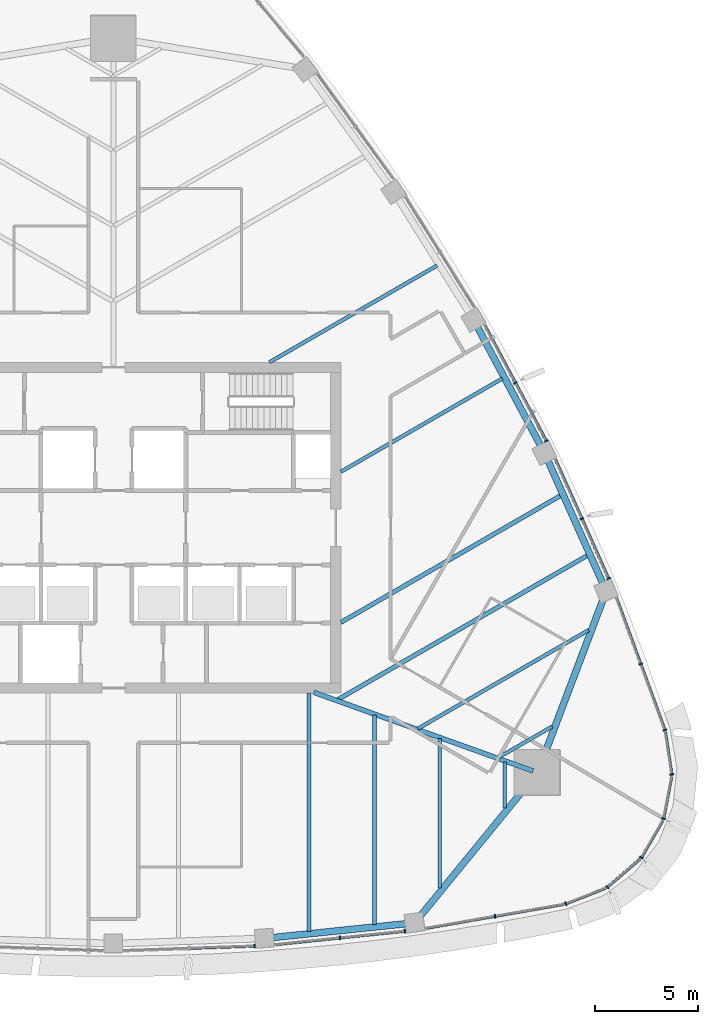
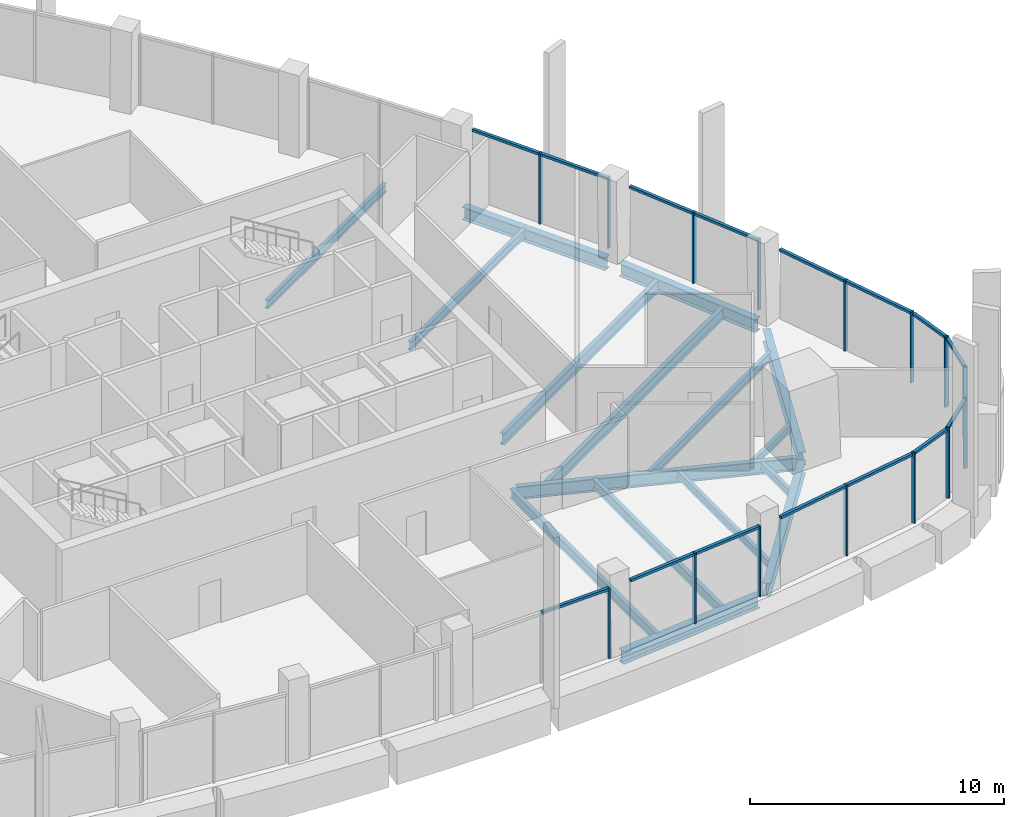
# One storey, part 4 of 19: 31 members, 16 beams, 11 elements without a shape of their own.
"""IFC4 building model written with IfcOpenShell, lengths in metres."""

from ifc_helpers import new_model, si_unit, direction, frame, origin, origin_2d, place, context, subcontext, project, spatial, rectangle, i_section, extrude, material, layer, layer_set, material_profile, profile_set, type_object, element, aggregate, save


model = new_model("IFC4")

# Units and contexts
model_context = context("Model", 3, precision=1e-05, world=origin(), true_north=direction((0.0, 1.0)))
body_context = subcontext(model_context, "Body", "Model", "MODEL_VIEW")
ifc_project = project(units=[si_unit("LENGTHUNIT", "METRE"), si_unit("AREAUNIT", "SQUARE_METRE"), si_unit("VOLUMEUNIT", "CUBIC_METRE"), si_unit("PLANEANGLEUNIT", "RADIAN"), si_unit("MASSUNIT", "GRAM", prefix="KILO")], contexts=[model_context])

# Site, building, storey
site_placement = place(None, origin())
site = spatial("IfcSite", under=ifc_project, at=site_placement, CompositionType="ELEMENT")
building_placement = place(site_placement, origin())
building = spatial("IfcBuilding", under=site, at=building_placement, Name="Sierra Prisma Convention Tower", CompositionType="ELEMENT")
storey_placement = place(building_placement, frame((0.0, 0.0, 295.0)))
storey = spatial("IfcBuildingStorey", under=building, at=storey_placement, Name="L67", CompositionType="ELEMENT", Elevation=295.0)

# Curtain wall, member
ifc_material_1 = material(Name="Aluminium and glass curtain wall", Category="aluminium")
ifc_layer = layer(ifc_material_1, 0.179931640625)
ifc_layer_set = layer_set([ifc_layer], Name="CW-1 Plain shaft curtain wall")
curtain_wall_type = type_object("IfcCurtainWallType", Name="CW-1 Plain shaft curtain wall", PredefinedType="NOTDEFINED", material=ifc_layer_set)
curtain_wall_1_placement = place(storey_placement, origin())
curtain_wall_1 = element("IfcCurtainWall", 1, at=curtain_wall_1_placement, inside=storey, type_object=curtain_wall_type, Name="CW-1 S4 L67", PredefinedType="NOTDEFINED")
ifc_material_2 = material(Name="Aluminium 6063-T6 bronze anodised", Category="aluminium")
ifc_material_profile_1 = material_profile(ifc_material_2, rectangle(XDim=0.179931640625, YDim=0.070068359375, at=origin_2d()), Name="ALU MULLION 70x180")
ifc_profile_set_1 = profile_set([ifc_material_profile_1], Name="Aluminium 6063-T6 bronze anodised")
member_type_1 = type_object("IfcMemberType", Name="CW mullion bronze", PredefinedType="MULLION", material=ifc_profile_set_1)
member_1_placement = place(storey_placement, frame((6.83056640625, -20.22607421875, 0.0), z_axis=(0.0, 0.0, 1.0), x_axis=(-0.034428292311, 0.999407170621, 0.0)))
member_1 = element("IfcMember", 2, at=member_1_placement, type_object=member_type_1, Name="CW-1 mullion S4.3", PredefinedType="MULLION", context=body_context, shape_type="SweptSolid", body=[
    extrude(rectangle(XDim=0.179931640625, YDim=0.070068359375, at=origin_2d()), origin(), (0.0, 0.0, 1.0), 3.39990234375),
])

# Curtain wall, members
curtain_wall_2_placement = place(storey_placement, origin())
curtain_wall_2 = element("IfcCurtainWall", 3, at=curtain_wall_2_placement, inside=storey, type_object=curtain_wall_type, Name="CW-1 S5 L67", PredefinedType="NOTDEFINED")
member_2_placement = place(storey_placement, frame((10.951904296875, -19.833251953125, 0.0), z_axis=(0.0, 0.0, 1.0), x_axis=(-0.10312164449, 0.994668752117, 0.0)))
member_2 = element("IfcMember", 4, at=member_2_placement, type_object=member_type_1, Name="CW-1 mullion S5.2", PredefinedType="MULLION", context=body_context, shape_type="SweptSolid", body=[
    extrude(rectangle(XDim=0.179931640625, YDim=0.070068359375, at=origin_2d()), origin(), (0.0, 0.0, 1.0), 3.39990234375),
])
member_3_placement = place(storey_placement, frame((14.093994140625, -19.507568359375, 0.0), z_axis=(0.0, 0.0, 1.0), x_axis=(-0.10312164449, 0.994668752117, 0.0)))
member_3 = element("IfcMember", 5, at=member_3_placement, type_object=member_type_1, Name="CW-1 mullion S5.3", PredefinedType="MULLION", context=body_context, shape_type="SweptSolid", body=[
    extrude(rectangle(XDim=0.179931640625, YDim=0.070068359375, at=origin_2d()), origin(), (0.0, 0.0, 1.0), 3.39990234375),
])

# Curtain wall, member
curtain_wall_3_placement = place(storey_placement, origin())
curtain_wall_3 = element("IfcCurtainWall", 6, at=curtain_wall_3_placement, inside=storey, type_object=curtain_wall_type, Name="CW-1 S6 L67", PredefinedType="NOTDEFINED")
member_4_placement = place(storey_placement, frame((18.453125, -18.786376953125, 0.0), z_axis=(0.0, 0.0, 1.0), x_axis=(-0.17132607333, 0.985214381035, 0.0)))
member_4 = element("IfcMember", 7, at=member_4_placement, type_object=member_type_1, Name="CW-1 mullion S6.2", PredefinedType="MULLION", context=body_context, shape_type="SweptSolid", body=[
    extrude(rectangle(XDim=0.179931640625, YDim=0.070068359375, at=origin_2d()), origin(), (0.0, 0.0, 1.0), 3.39990234375),
])

curtain_wall_4_placement = place(storey_placement, origin())
curtain_wall_4 = element("IfcCurtainWall", 8, at=curtain_wall_4_placement, inside=storey, type_object=curtain_wall_type, Name="CW-1 SE1 L67", PredefinedType="NOTDEFINED")
member_5_placement = place(storey_placement, frame((21.875732421875, -18.18408203125, 0.0), z_axis=(0.0, 0.0, 1.0), x_axis=(-0.366019396265, 0.930607221957, 0.0)))
member_5 = element("IfcMember", 9, at=member_5_placement, type_object=member_type_1, Name="CW-1 mullion SE1.1", PredefinedType="MULLION", context=body_context, shape_type="SweptSolid", body=[
    extrude(rectangle(XDim=0.179931640625, YDim=0.070068359375, at=origin_2d()), origin(), (0.0, 0.0, 1.0), 3.39990234375),
])

curtain_wall_5_placement = place(storey_placement, origin())
curtain_wall_5 = element("IfcCurtainWall", 10, at=curtain_wall_5_placement, inside=storey, type_object=curtain_wall_type, Name="CW-1 SE2 L67", PredefinedType="NOTDEFINED")
member_6_placement = place(storey_placement, frame((23.8916015625, -17.378662109375, 0.0), z_axis=(0.0, 0.0, 1.0), x_axis=(-0.652563592481, 0.757733962396, 0.0)))
member_6 = element("IfcMember", 11, at=member_6_placement, type_object=member_type_1, Name="CW-1 mullion SE2.1", PredefinedType="MULLION", context=body_context, shape_type="SweptSolid", body=[
    extrude(rectangle(XDim=0.179931640625, YDim=0.070068359375, at=origin_2d()), origin(), (0.0, 0.0, 1.0), 3.39990234375),
])

curtain_wall_6_placement = place(storey_placement, origin())
curtain_wall_6 = element("IfcCurtainWall", 12, at=curtain_wall_6_placement, inside=storey, type_object=curtain_wall_type, Name="CW-1 SE3 L67", PredefinedType="NOTDEFINED")
member_7_placement = place(storey_placement, frame((25.529052734375, -15.953369140625, 0.0), z_axis=(0.0, 0.0, 1.0), x_axis=(-0.866025403784, 0.5, 0.0)))
member_7 = element("IfcMember", 13, at=member_7_placement, type_object=member_type_1, Name="CW-1 mullion SE3.1", PredefinedType="MULLION", context=body_context, shape_type="SweptSolid", body=[
    extrude(rectangle(XDim=0.179931640625, YDim=0.070068359375, at=origin_2d()), origin(), (0.0, 0.0, 1.0), 3.39990234375),
])

curtain_wall_7_placement = place(storey_placement, origin())
curtain_wall_7 = element("IfcCurtainWall", 14, at=curtain_wall_7_placement, inside=storey, type_object=curtain_wall_type, Name="CW-1 SE4 L67", PredefinedType="NOTDEFINED")
member_8_placement = place(storey_placement, frame((26.6044921875, -14.0673828125, 0.0), z_axis=(0.0, 0.0, 1.0), x_axis=(-0.982498656986, 0.186269667476, 0.0)))
member_8 = element("IfcMember", 15, at=member_8_placement, type_object=member_type_1, Name="CW-1 mullion SE4.1", PredefinedType="MULLION", context=body_context, shape_type="SweptSolid", body=[
    extrude(rectangle(XDim=0.179931640625, YDim=0.070068359375, at=origin_2d()), origin(), (0.0, 0.0, 1.0), 3.39990234375),
])

curtain_wall_8_placement = place(storey_placement, origin())
curtain_wall_8 = element("IfcCurtainWall", 16, at=curtain_wall_8_placement, inside=storey, type_object=curtain_wall_type, Name="CW-1 SE5 L67", PredefinedType="NOTDEFINED")
member_9_placement = place(storey_placement, frame((26.99755859375, -11.932373046875, 0.0), z_axis=(0.0, 0.0, 1.0), x_axis=(-0.988939193292, -0.148321515535, 0.0)))
member_9 = element("IfcMember", 17, at=member_9_placement, type_object=member_type_1, Name="CW-1 mullion SE5.1", PredefinedType="MULLION", context=body_context, shape_type="SweptSolid", body=[
    extrude(rectangle(XDim=0.179931640625, YDim=0.070068359375, at=origin_2d()), origin(), (0.0, 0.0, 1.0), 3.39990234375),
])

# Curtain wall, members
curtain_wall_9_placement = place(storey_placement, origin())
curtain_wall_9 = element("IfcCurtainWall", 18, at=curtain_wall_9_placement, inside=storey, type_object=curtain_wall_type, Name="CW-1 NE1 L67", PredefinedType="NOTDEFINED")
member_10_placement = place(storey_placement, frame((26.66845703125, -9.785400390625, 0.0), z_axis=(0.0, 0.0, 1.0), x_axis=(-0.938883718815, -0.344234458683, 0.0)))
member_10 = element("IfcMember", 19, at=member_10_placement, type_object=member_type_1, Name="CW-1 mullion NE1.1", PredefinedType="MULLION", context=body_context, shape_type="SweptSolid", body=[
    extrude(rectangle(XDim=0.179931640625, YDim=0.070068359375, at=origin_2d()), origin(), (0.0, 0.0, 1.0), 3.39990234375),
])
member_11_placement = place(storey_placement, frame((25.49609375, -6.587646484375, 0.0), z_axis=(0.0, 0.0, 1.0), x_axis=(-0.938883718815, -0.344234458683, 0.0)))
member_11 = element("IfcMember", 20, at=member_11_placement, type_object=member_type_1, Name="CW-1 mullion NE1.2", PredefinedType="MULLION", context=body_context, shape_type="SweptSolid", body=[
    extrude(rectangle(XDim=0.179931640625, YDim=0.070068359375, at=origin_2d()), origin(), (0.0, 0.0, 1.0), 3.39990234375),
])

curtain_wall_10_placement = place(storey_placement, origin())
curtain_wall_10 = element("IfcCurtainWall", 21, at=curtain_wall_10_placement, inside=storey, type_object=curtain_wall_type, Name="CW-1 NE2 L67", PredefinedType="NOTDEFINED")
member_12_placement = place(storey_placement, frame((23.94091796875, -2.4521484375, 0.0), z_axis=(0.0, 0.0, 1.0), x_axis=(-0.912969229929, -0.40802841225, 0.0)))
member_12 = element("IfcMember", 22, at=member_12_placement, type_object=member_type_1, Name="CW-1 mullion NE2.1", PredefinedType="MULLION", context=body_context, shape_type="SweptSolid", body=[
    extrude(rectangle(XDim=0.179931640625, YDim=0.070068359375, at=origin_2d()), origin(), (0.0, 0.0, 1.0), 3.39990234375),
])
member_13_placement = place(storey_placement, frame((22.652099609375, 0.431884765625, 0.0), z_axis=(0.0, 0.0, 1.0), x_axis=(-0.912969229929, -0.40802841225, 0.0)))
member_13 = element("IfcMember", 23, at=member_13_placement, type_object=member_type_1, Name="CW-1 mullion NE2.2", PredefinedType="MULLION", context=body_context, shape_type="SweptSolid", body=[
    extrude(rectangle(XDim=0.179931640625, YDim=0.070068359375, at=origin_2d()), origin(), (0.0, 0.0, 1.0), 3.39990234375),
])

curtain_wall_11_placement = place(storey_placement, origin())
curtain_wall_11 = element("IfcCurtainWall", 24, at=curtain_wall_11_placement, inside=storey, type_object=curtain_wall_type, Name="CW-1 NE3 L67", PredefinedType="NOTDEFINED")
member_14_placement = place(storey_placement, frame((20.931640625, 4.197509765625, 0.0), z_axis=(0.0, 0.0, 1.0), x_axis=(-0.882726144638, -0.46988780956, 0.0)))
member_14 = element("IfcMember", 25, at=member_14_placement, type_object=member_type_1, Name="CW-1 mullion NE3.1", PredefinedType="MULLION", context=body_context, shape_type="SweptSolid", body=[
    extrude(rectangle(XDim=0.179931640625, YDim=0.070068359375, at=origin_2d()), origin(), (0.0, 0.0, 1.0), 3.39990234375),
])
member_15_placement = place(storey_placement, frame((19.43994140625, 7.0, 0.0), z_axis=(0.0, 0.0, 1.0), x_axis=(-0.882726144638, -0.46988780956, 0.0)))
member_15 = element("IfcMember", 26, at=member_15_placement, type_object=member_type_1, Name="CW-1 mullion NE3.2", PredefinedType="MULLION", context=body_context, shape_type="SweptSolid", body=[
    extrude(rectangle(XDim=0.179931640625, YDim=0.070068359375, at=origin_2d()), origin(), (0.0, 0.0, 1.0), 3.39990234375),
])

# Member
ifc_material_3 = material(Name="Aluminium 6063-T6 bronze anodised", Category="aluminium")
ifc_material_profile_2 = material_profile(ifc_material_3, rectangle(XDim=0.139892578125, YDim=0.1201171875, at=origin_2d()), Name="ALU TRANSOM 120x140")
ifc_profile_set_2 = profile_set([ifc_material_profile_2], Name="Aluminium 6063-T6 bronze anodised")
member_type_2 = type_object("IfcMemberType", Name="CW transom bronze", PredefinedType="USERDEFINED", material=ifc_profile_set_2)
member_16_placement = place(storey_placement, frame((3.692626953125, -20.334228515625, 3.340087890625), z_axis=(0.999406746212, 0.034440610137, 0.0), x_axis=(-0.034440610137, 0.999406746212, 0.0)))
member_16 = element("IfcMember", 27, at=member_16_placement, type_object=member_type_2, Name="CW-1 transom S4.2", ObjectType="TRANSOM", PredefinedType="USERDEFINED", context=body_context, shape_type="SweptSolid", body=[
    extrude(rectangle(XDim=0.139892578125, YDim=0.1201171875, at=origin_2d()), origin(), (0.0, 0.0, 1.0), 3.10498046875),
])

aggregate(curtain_wall_1, [member_1, member_16])

member_17_placement = place(storey_placement, frame((7.844482421875, -20.1552734375, 3.340087890625), z_axis=(0.994674764125, 0.103063638651, 0.0), x_axis=(-0.103063638651, 0.994674764125, 0.0)))
member_17 = element("IfcMember", 28, at=member_17_placement, type_object=member_type_2, Name="CW-1 transom S5.1", ObjectType="TRANSOM", PredefinedType="USERDEFINED", context=body_context, shape_type="SweptSolid", body=[
    extrude(rectangle(XDim=0.139892578125, YDim=0.1201171875, at=origin_2d()), origin(), (0.0, 0.0, 1.0), 3.0888671875),
])

member_18_placement = place(storey_placement, frame((10.986572265625, -19.82958984375, 3.340087890625), z_axis=(0.994666658703, 0.103141834693, 0.0), x_axis=(-0.103141834693, 0.994666658703, 0.0)))
member_18 = element("IfcMember", 29, at=member_18_placement, type_object=member_type_2, Name="CW-1 transom S5.2", ObjectType="TRANSOM", PredefinedType="USERDEFINED", context=body_context, shape_type="SweptSolid", body=[
    extrude(rectangle(XDim=0.139892578125, YDim=0.1201171875, at=origin_2d()), origin(), (0.0, 0.0, 1.0), 3.0888671875),
])

aggregate(curtain_wall_2, [member_2, member_3, member_17, member_18])

member_19_placement = place(storey_placement, frame((15.132080078125, -19.36376953125, 3.340087890625), z_axis=(0.985226791035, 0.171254694029, 0.0), x_axis=(-0.171254694029, 0.985226791035, 0.0)))
member_19 = element("IfcMember", 30, at=member_19_placement, type_object=member_type_2, Name="CW-1 transom S6.1", ObjectType="TRANSOM", PredefinedType="USERDEFINED", context=body_context, shape_type="SweptSolid", body=[
    extrude(rectangle(XDim=0.139892578125, YDim=0.1201171875, at=origin_2d()), origin(), (0.0, 0.0, 1.0), 3.3359375),
])

member_20_placement = place(storey_placement, frame((18.487548828125, -18.7802734375, 3.340087890625), z_axis=(0.985214440381, 0.171325732056, 0.0), x_axis=(-0.171325732056, 0.985214440381, 0.0)))
member_20 = element("IfcMember", 31, at=member_20_placement, type_object=member_type_2, Name="CW-1 transom S6.2", ObjectType="TRANSOM", PredefinedType="USERDEFINED", context=body_context, shape_type="SweptSolid", body=[
    extrude(rectangle(XDim=0.139892578125, YDim=0.1201171875, at=origin_2d()), origin(), (0.0, 0.0, 1.0), 3.3359375),
])

aggregate(curtain_wall_3, [member_4, member_19, member_20])

member_21_placement = place(storey_placement, frame((21.908203125, -18.171142578125, 3.340087890625), z_axis=(0.930639048396, 0.365938466959, 0.0), x_axis=(-0.365938466959, 0.930639048396, 0.0)))
member_21 = element("IfcMember", 32, at=member_21_placement, type_object=member_type_2, Name="CW-1 transom SE1.1", ObjectType="TRANSOM", PredefinedType="USERDEFINED", context=body_context, shape_type="SweptSolid", body=[
    extrude(rectangle(XDim=0.139892578125, YDim=0.1201171875, at=origin_2d()), origin(), (0.0, 0.0, 1.0), 2.032958984375),
])

aggregate(curtain_wall_4, [member_5, member_21])

member_22_placement = place(storey_placement, frame((23.918212890625, -17.35595703125, 3.340087890625), z_axis=(0.757694567991, 0.65260933309, 0.0), x_axis=(-0.65260933309, 0.757694567991, 0.0)))
member_22 = element("IfcMember", 33, at=member_22_placement, type_object=member_type_2, Name="CW-1 transom SE2.1", ObjectType="TRANSOM", PredefinedType="USERDEFINED", context=body_context, shape_type="SweptSolid", body=[
    extrude(rectangle(XDim=0.139892578125, YDim=0.1201171875, at=origin_2d()), origin(), (0.0, 0.0, 1.0), 2.032958984375),
])

aggregate(curtain_wall_5, [member_6, member_22])

member_23_placement = place(storey_placement, frame((25.546630859375, -15.923095703125, 3.340087890625), z_axis=(0.499975428181, 0.866039589866, 0.0), x_axis=(-0.866039589866, 0.499975428181, 0.0)))
member_23 = element("IfcMember", 34, at=member_23_placement, type_object=member_type_2, Name="CW-1 transom SE3.1", ObjectType="TRANSOM", PredefinedType="USERDEFINED", context=body_context, shape_type="SweptSolid", body=[
    extrude(rectangle(XDim=0.139892578125, YDim=0.1201171875, at=origin_2d()), origin(), (0.0, 0.0, 1.0), 2.03271484375),
])

aggregate(curtain_wall_6, [member_7, member_23])

member_24_placement = place(storey_placement, frame((26.611083984375, -14.033203125, 3.340087890625), z_axis=(0.186267693135, 0.982499031294, 0.0), x_axis=(-0.982499031294, 0.186267693135, 0.0)))
member_24 = element("IfcMember", 35, at=member_24_placement, type_object=member_type_2, Name="CW-1 transom SE4.1", ObjectType="TRANSOM", PredefinedType="USERDEFINED", context=body_context, shape_type="SweptSolid", body=[
    extrude(rectangle(XDim=0.139892578125, YDim=0.1201171875, at=origin_2d()), origin(), (0.0, 0.0, 1.0), 2.032958984375),
])

aggregate(curtain_wall_7, [member_8, member_24])

member_25_placement = place(storey_placement, frame((26.992431640625, -11.897705078125, 3.340087890625), z_axis=(-0.148328706786, 0.988938114719, 0.0), x_axis=(-0.988938114719, -0.148328706786, 0.0)))
member_25 = element("IfcMember", 36, at=member_25_placement, type_object=member_type_2, Name="CW-1 transom SE5.1", ObjectType="TRANSOM", PredefinedType="USERDEFINED", context=body_context, shape_type="SweptSolid", body=[
    extrude(rectangle(XDim=0.139892578125, YDim=0.1201171875, at=origin_2d()), origin(), (0.0, 0.0, 1.0), 2.03271484375),
])

aggregate(curtain_wall_8, [member_9, member_25])

member_26_placement = place(storey_placement, frame((26.656494140625, -9.75244140625, 3.340087890625), z_axis=(-0.344280455095, 0.938866853308, 0.0), x_axis=(-0.938866853308, -0.344280455095, 0.0)))
member_26 = element("IfcMember", 37, at=member_26_placement, type_object=member_type_2, Name="CW-1 transom NE1.1", ObjectType="TRANSOM", PredefinedType="USERDEFINED", context=body_context, shape_type="SweptSolid", body=[
    extrude(rectangle(XDim=0.139892578125, YDim=0.1201171875, at=origin_2d()), origin(), (0.0, 0.0, 1.0), 3.335693359375),
])

member_27_placement = place(storey_placement, frame((25.48388671875, -6.554931640625, 3.340087890625), z_axis=(-0.344192286452, 0.938899179863, 0.0), x_axis=(-0.938899179863, -0.344192286452, 0.0)))
member_27 = element("IfcMember", 38, at=member_27_placement, type_object=member_type_2, Name="CW-1 transom NE1.2", ObjectType="TRANSOM", PredefinedType="USERDEFINED", context=body_context, shape_type="SweptSolid", body=[
    extrude(rectangle(XDim=0.139892578125, YDim=0.1201171875, at=origin_2d()), origin(), (0.0, 0.0, 1.0), 3.3359375),
])

aggregate(curtain_wall_9, [member_10, member_11, member_26, member_27])

member_28_placement = place(storey_placement, frame((23.9267578125, -2.420166015625, 3.340087890625), z_axis=(-0.408066218682, 0.912952332365, 0.0), x_axis=(-0.912952332365, -0.408066218682, 0.0)))
member_28 = element("IfcMember", 39, at=member_28_placement, type_object=member_type_2, Name="CW-1 transom NE2.1", ObjectType="TRANSOM", PredefinedType="USERDEFINED", context=body_context, shape_type="SweptSolid", body=[
    extrude(rectangle(XDim=0.139892578125, YDim=0.1201171875, at=origin_2d()), origin(), (0.0, 0.0, 1.0), 3.0888671875),
])

member_29_placement = place(storey_placement, frame((22.6376953125, 0.4638671875, 3.340087890625), z_axis=(-0.407970899932, 0.912994931425, 0.0), x_axis=(-0.912994931425, -0.407970899932, 0.0)))
member_29 = element("IfcMember", 40, at=member_29_placement, type_object=member_type_2, Name="CW-1 transom NE2.2", ObjectType="TRANSOM", PredefinedType="USERDEFINED", context=body_context, shape_type="SweptSolid", body=[
    extrude(rectangle(XDim=0.139892578125, YDim=0.1201171875, at=origin_2d()), origin(), (0.0, 0.0, 1.0), 3.089111328125),
])

aggregate(curtain_wall_10, [member_12, member_13, member_28, member_29])

member_30_placement = place(storey_placement, frame((20.915283203125, 4.228515625, 3.340087890625), z_axis=(-0.469902447422, 0.882718352537, 0.0), x_axis=(-0.882718352537, -0.469902447422, 0.0)))
member_30 = element("IfcMember", 41, at=member_30_placement, type_object=member_type_2, Name="CW-1 transom NE3.1", ObjectType="TRANSOM", PredefinedType="USERDEFINED", context=body_context, shape_type="SweptSolid", body=[
    extrude(rectangle(XDim=0.139892578125, YDim=0.1201171875, at=origin_2d()), origin(), (0.0, 0.0, 1.0), 3.10498046875),
])

member_31_placement = place(storey_placement, frame((19.42333984375, 7.031005859375, 3.340087890625), z_axis=(-0.469902447422, 0.882718352537, 0.0), x_axis=(-0.882718352537, -0.469902447422, 0.0)))
member_31 = element("IfcMember", 42, at=member_31_placement, type_object=member_type_2, Name="CW-1 transom NE3.2", ObjectType="TRANSOM", PredefinedType="USERDEFINED", context=body_context, shape_type="SweptSolid", body=[
    extrude(rectangle(XDim=0.139892578125, YDim=0.1201171875, at=origin_2d()), origin(), (0.0, 0.0, 1.0), 3.10498046875),
])

aggregate(curtain_wall_11, [member_14, member_15, member_30, member_31])

# Beams
ifc_material_4 = material(Name="Steel ASTM A992 Gr 50", Category="steel")
ifc_material_profile_3 = material_profile(ifc_material_4, i_section(OverallWidth=0.172119140625, OverallDepth=0.35791015625, WebThickness=0.0078125, FlangeThickness=0.01318359375, at=origin_2d()), Name="W360x57")
ifc_profile_set_3 = profile_set([ifc_material_profile_3], Name="Steel ASTM A992 Gr 50")
beam_type_1 = type_object("IfcBeamType", Name="Floor joist W360x57", PredefinedType="JOIST", material=ifc_profile_set_3)
beam_1_placement = place(storey_placement, frame((15.77783203125, -17.424560546875, -0.3291015625), z_axis=(0.0, 1.0, 0.0), x_axis=(-1.0, 0.0, 0.0)))
element("IfcBeam", 43, at=beam_1_placement, inside=storey, type_object=beam_type_1, Name="Floor joist L67 S12", PredefinedType="JOIST", context=body_context, shape_type="SweptSolid", body=[
    extrude(i_section(OverallWidth=0.172119140625, OverallDepth=0.35791015625, WebThickness=0.0078125, FlangeThickness=0.01318359375, at=origin_2d()), origin(), (0.0, 0.0, 1.0), 7.2314453125),
])
beam_2_placement = place(storey_placement, frame((18.933349609375, -13.565185546875, -0.3291015625), z_axis=(0.0, 1.0, 0.0), x_axis=(-1.0, 0.0, 0.0)))
element("IfcBeam", 44, at=beam_2_placement, inside=storey, type_object=beam_type_1, Name="Floor joist L67 S13", PredefinedType="JOIST", context=body_context, shape_type="SweptSolid", body=[
    extrude(i_section(OverallWidth=0.172119140625, OverallDepth=0.35791015625, WebThickness=0.0078125, FlangeThickness=0.01318359375, at=origin_2d()), origin(), (0.0, 0.0, 1.0), 2.240234375),
])
beam_3_placement = place(storey_placement, frame((21.21435546875, -9.6142578125, -0.3291015625), z_axis=(-0.866040543018, -0.499973777161, 0.0), x_axis=(0.499973777161, -0.866040543018, 0.0)))
element("IfcBeam", 45, at=beam_3_placement, inside=storey, type_object=beam_type_1, Name="Floor joist L67 NE01", PredefinedType="JOIST", context=body_context, shape_type="SweptSolid", body=[
    extrude(i_section(OverallWidth=0.172119140625, OverallDepth=0.35791015625, WebThickness=0.0078125, FlangeThickness=0.01318359375, at=origin_2d()), origin(), (0.0, 0.0, 1.0), 2.999267578125),
])
ifc_material_5 = material(Name="Steel ASTM A992 Gr 50", Category="steel")
ifc_material_profile_4 = material_profile(ifc_material_5, i_section(OverallWidth=0.177978515625, OverallDepth=0.406982421875, WebThickness=0.0078125, FlangeThickness=0.0126953125, at=origin_2d()), Name="W410x60")
ifc_profile_set_4 = profile_set([ifc_material_profile_4], Name="Steel ASTM A992 Gr 50")
beam_type_2 = type_object("IfcBeamType", Name="Floor joist W410x60", PredefinedType="JOIST", material=ifc_profile_set_4)
beam_4_placement = place(storey_placement, frame((22.97900390625, -4.95166015625, -0.353515625), z_axis=(-0.866023074121, -0.500004035075, 0.0), x_axis=(0.500004035075, -0.866023074121, 0.0)))
element("IfcBeam", 46, at=beam_4_placement, inside=storey, type_object=beam_type_2, Name="Floor joist L67 NE02", PredefinedType="JOIST", context=body_context, shape_type="SweptSolid", body=[
    extrude(i_section(OverallWidth=0.177978515625, OverallDepth=0.406982421875, WebThickness=0.0078125, FlangeThickness=0.0126953125, at=origin_2d()), origin(), (0.0, 0.0, 1.0), 9.53173828125),
])
beam_5_placement = place(storey_placement, frame((18.80322265625, 7.212158203125, -0.353515625), z_axis=(-0.866028563435, -0.499994527285, 0.0), x_axis=(0.499994527285, -0.866028563435, 0.0)))
element("IfcBeam", 47, at=beam_5_placement, inside=storey, type_object=beam_type_2, Name="Floor joist L67 NE06", PredefinedType="JOIST", context=body_context, shape_type="SweptSolid", body=[
    extrude(i_section(OverallWidth=0.177978515625, OverallDepth=0.406982421875, WebThickness=0.0078125, FlangeThickness=0.0126953125, at=origin_2d()), origin(), (0.0, 0.0, 1.0), 9.01025390625),
])
beam_6_placement = place(storey_placement, frame((15.6474609375, 12.677734375, -0.353515625), z_axis=(-0.866024793964, -0.500001056239, 0.0), x_axis=(0.500001056239, -0.866024793964, 0.0)))
element("IfcBeam", 48, at=beam_6_placement, inside=storey, type_object=beam_type_2, Name="Floor joist L67 NE08", PredefinedType="JOIST", context=body_context, shape_type="SweptSolid", body=[
    extrude(i_section(OverallWidth=0.177978515625, OverallDepth=0.406982421875, WebThickness=0.0078125, FlangeThickness=0.0126953125, at=origin_2d()), origin(), (0.0, 0.0, 1.0), 9.35546875),
])
ifc_material_6 = material(Name="Steel ASTM A992 Gr 50", Category="steel")
ifc_material_profile_5 = material_profile(ifc_material_6, i_section(OverallWidth=0.18994140625, OverallDepth=0.45703125, WebThickness=0.009033203125, FlangeThickness=0.014404296875, at=origin_2d()), Name="W460x74")
ifc_profile_set_5 = profile_set([ifc_material_profile_5], Name="Steel ASTM A992 Gr 50")
beam_type_3 = type_object("IfcBeamType", Name="Floor joist W460x74", PredefinedType="JOIST", material=ifc_profile_set_5)
beam_7_placement = place(storey_placement, frame((9.466552734375, -19.522216796875, -0.37841796875), z_axis=(0.0, 1.0, 0.0), x_axis=(-1.0, 0.0, 0.0)))
element("IfcBeam", 49, at=beam_7_placement, inside=storey, type_object=beam_type_3, Name="Floor joist L67 S10", PredefinedType="JOIST", context=body_context, shape_type="SweptSolid", body=[
    extrude(i_section(OverallWidth=0.18994140625, OverallDepth=0.45703125, WebThickness=0.009033203125, FlangeThickness=0.014404296875, at=origin_2d()), origin(), (0.0, 0.0, 1.0), 11.522216796875),
])
beam_8_placement = place(storey_placement, frame((12.622314453125, -19.195068359375, -0.37841796875), z_axis=(0.0, 1.0, 0.0), x_axis=(-1.0, 0.0, 0.0)))
element("IfcBeam", 50, at=beam_8_placement, inside=storey, type_object=beam_type_3, Name="Floor joist L67 S11", PredefinedType="JOIST", context=body_context, shape_type="SweptSolid", body=[
    extrude(i_section(OverallWidth=0.18994140625, OverallDepth=0.45703125, WebThickness=0.009033203125, FlangeThickness=0.014404296875, at=origin_2d()), origin(), (0.0, 0.0, 1.0), 10.1337890625),
])
ifc_material_7 = material(Name="Steel ASTM A992 Gr 50", Category="steel")
ifc_material_profile_6 = material_profile(ifc_material_7, i_section(OverallWidth=0.208984375, OverallDepth=0.532958984375, WebThickness=0.01025390625, FlangeThickness=0.015625, at=origin_2d()), Name="W530x92")
ifc_profile_set_6 = profile_set([ifc_material_profile_6], Name="Steel ASTM A992 Gr 50")
beam_type_4 = type_object("IfcBeamType", Name="Floor joist W530x92", PredefinedType="JOIST", material=ifc_profile_set_6)
beam_9_placement = place(storey_placement, frame((22.9345703125, -1.333740234375, -0.41650390625), z_axis=(-0.866025289518, -0.500000197916, 0.0), x_axis=(0.500000197916, -0.866025289518, 0.0)))
element("IfcBeam", 51, at=beam_9_placement, inside=storey, type_object=beam_type_4, Name="Floor joist L67 NE03", PredefinedType="JOIST", context=body_context, shape_type="SweptSolid", body=[
    extrude(i_section(OverallWidth=0.208984375, OverallDepth=0.532958984375, WebThickness=0.01025390625, FlangeThickness=0.015625, at=origin_2d()), origin(), (0.0, 0.0, 1.0), 13.97509765625),
])
beam_10_placement = place(storey_placement, frame((21.64013671875, 1.562744140625, -0.41650390625), z_axis=(-0.866026087253, -0.499998816196, 0.0), x_axis=(0.499998816196, -0.866026087253, 0.0)))
element("IfcBeam", 52, at=beam_10_placement, inside=storey, type_object=beam_type_4, Name="Floor joist L67 NE04", PredefinedType="JOIST", context=body_context, shape_type="SweptSolid", body=[
    extrude(i_section(OverallWidth=0.208984375, OverallDepth=0.532958984375, WebThickness=0.01025390625, FlangeThickness=0.015625, at=origin_2d()), origin(), (0.0, 0.0, 1.0), 12.2861328125),
])
ifc_material_8 = material(Name="Steel ASTM A992 Gr 50", Category="steel")
ifc_material_profile_7 = material_profile(ifc_material_8, i_section(OverallWidth=0.22998046875, OverallDepth=0.616943359375, WebThickness=0.01318359375, FlangeThickness=0.022216796875, at=origin_2d()), Name="W610x140")
ifc_profile_set_7 = profile_set([ifc_material_profile_7], Name="Steel ASTM A992 Gr 50")
beam_type_5 = type_object("IfcBeamType", Name="Radial girder W610x140", PredefinedType="BEAM", material=ifc_profile_set_7)
beam_11_placement = place(storey_placement, frame((20.291015625, -11.76318359375, -0.45849609375), z_axis=(-0.941275220678, 0.337640280383, 0.0), x_axis=(-0.337640280383, -0.941275220678, 0.0)))
element("IfcBeam", 53, at=beam_11_placement, inside=storey, type_object=beam_type_5, Name="Radial girder L67 SE", PredefinedType="BEAM", context=body_context, shape_type="SweptSolid", body=[
    extrude(i_section(OverallWidth=0.22998046875, OverallDepth=0.616943359375, WebThickness=0.01318359375, FlangeThickness=0.022216796875, at=origin_2d()), origin(), (0.0, 0.0, 1.0), 11.265625),
])
ifc_material_9 = material(Name="Steel ASTM A992 Gr 50", Category="steel")
ifc_material_profile_8 = material_profile(ifc_material_9, i_section(OverallWidth=0.324951171875, OverallDepth=0.615966796875, WebThickness=0.013916015625, FlangeThickness=0.021484375, at=origin_2d()), Name="W610x174")
ifc_profile_set_8 = profile_set([ifc_material_profile_8], Name="Steel ASTM A992 Gr 50")
beam_type_6 = type_object("IfcBeamType", Name="Spandrel beam W610x174", PredefinedType="BEAM", material=ifc_profile_set_8)
beam_12_placement = place(storey_placement, frame((7.631591796875, -19.82568359375, -0.4580078125), z_axis=(0.994671422662, 0.103095882262, 0.0), x_axis=(-0.103095882262, 0.994671422662, 0.0)))
element("IfcBeam", 54, at=beam_12_placement, inside=storey, type_object=beam_type_6, Name="Spandrel L67-05", PredefinedType="BEAM", context=body_context, shape_type="SweptSolid", body=[
    extrude(i_section(OverallWidth=0.324951171875, OverallDepth=0.615966796875, WebThickness=0.013916015625, FlangeThickness=0.021484375, at=origin_2d()), origin(), (0.0, 0.0, 1.0), 6.647216796875),
])
beam_13_placement = place(storey_placement, frame((14.88427734375, -18.72412109375, -0.4580078125), z_axis=(0.632973570915, 0.774173403394, 0.0), x_axis=(-0.774173403394, 0.632973570915, 0.0)))
element("IfcBeam", 55, at=beam_13_placement, inside=storey, type_object=beam_type_6, Name="Spandrel L67-06", PredefinedType="BEAM", context=body_context, shape_type="SweptSolid", body=[
    extrude(i_section(OverallWidth=0.324951171875, OverallDepth=0.615966796875, WebThickness=0.013916015625, FlangeThickness=0.021484375, at=origin_2d()), origin(), (0.0, 0.0, 1.0), 8.60546875),
])
beam_14_placement = place(storey_placement, frame((20.594482421875, -11.6220703125, -0.4580078125), z_axis=(0.353956791383, 0.9352617761, 0.0), x_axis=(-0.9352617761, 0.353956791383, 0.0)))
element("IfcBeam", 56, at=beam_14_placement, inside=storey, type_object=beam_type_6, Name="Spandrel L67-07", PredefinedType="BEAM", context=body_context, shape_type="SweptSolid", body=[
    extrude(i_section(OverallWidth=0.324951171875, OverallDepth=0.615966796875, WebThickness=0.013916015625, FlangeThickness=0.021484375, at=origin_2d()), origin(), (0.0, 0.0, 1.0), 8.654296875),
])
beam_15_placement = place(storey_placement, frame((23.69775390625, -2.764892578125, -0.4580078125), z_axis=(-0.408052752965, 0.912958351075, 0.0), x_axis=(-0.912958351075, -0.408052752965, 0.0)))
element("IfcBeam", 57, at=beam_15_placement, inside=storey, type_object=beam_type_6, Name="Spandrel L67-08", PredefinedType="BEAM", context=body_context, shape_type="SweptSolid", body=[
    extrude(i_section(OverallWidth=0.324951171875, OverallDepth=0.615966796875, WebThickness=0.013916015625, FlangeThickness=0.021484375, at=origin_2d()), origin(), (0.0, 0.0, 1.0), 6.647216796875),
])
beam_16_placement = place(storey_placement, frame((20.695556640625, 3.896728515625, -0.4580078125), z_axis=(-0.469884627015, 0.882727838745, 0.0), x_axis=(-0.882727838745, -0.469884627015, 0.0)))
element("IfcBeam", 58, at=beam_16_placement, inside=storey, type_object=beam_type_6, Name="Spandrel L67-09", PredefinedType="BEAM", context=body_context, shape_type="SweptSolid", body=[
    extrude(i_section(OverallWidth=0.324951171875, OverallDepth=0.615966796875, WebThickness=0.013916015625, FlangeThickness=0.021484375, at=origin_2d()), origin(), (0.0, 0.0, 1.0), 6.64697265625),
])

save(model, "model.ifc")
